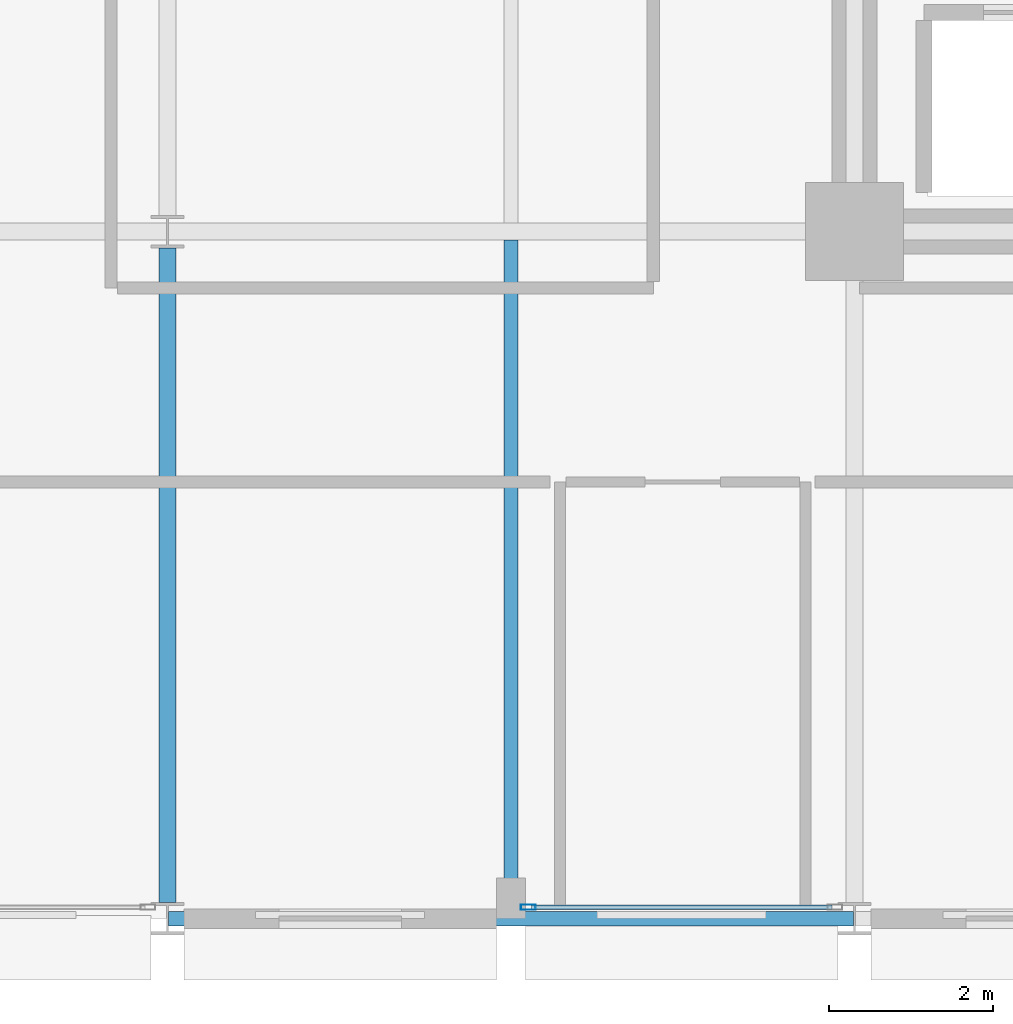
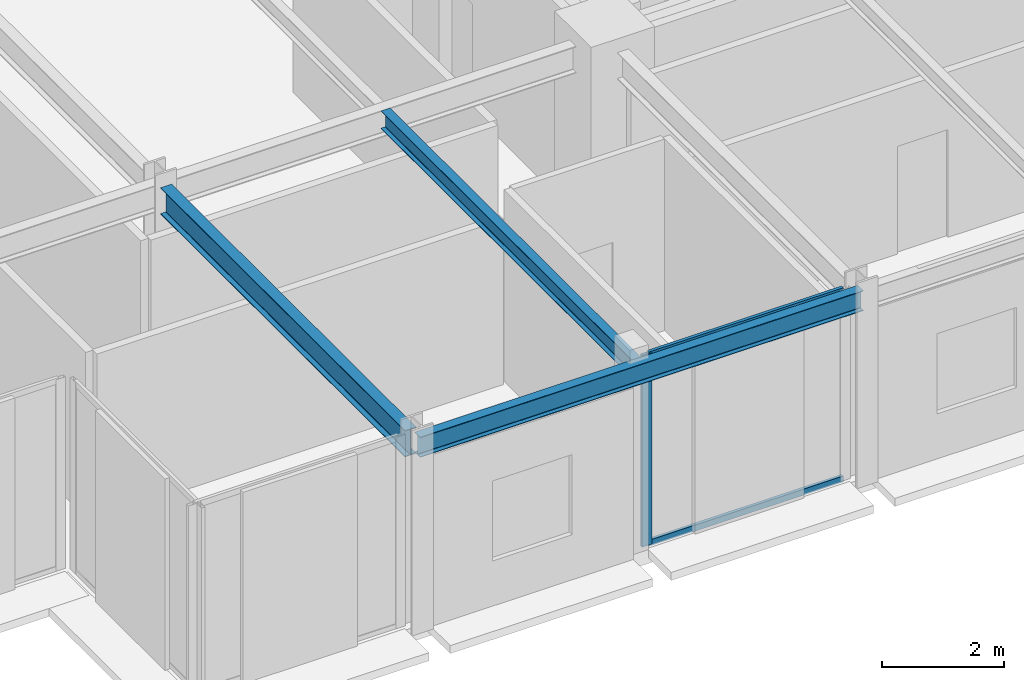
# One storey, part 3 of 30: 3 beams, 3 members, 1 element without a shape of its own.
"""IFC4 building model written with IfcOpenShell, lengths in metres."""

import ifcopenshell
import ifcopenshell.guid

model = None  # the IFC model being written
_history = None  # IfcOwnerHistory: only IFC2X3 demands one
_inside = {}  # id of a spatial element -> (the spatial element, [elements in it])
_under = {}  # id of a project, library or spatial element -> (it, [spatial elements below it])
_declared = {}  # id of a project -> (the project, [libraries it declares])
_typed = {}  # id of a type object -> (the type object, [elements of that type])
_made_of = {}  # id of a material, layer set ... -> (it, [elements and type objects made of it])


def new_model(schema):
    """Start an empty IFC model of exactly this schema.

    Asked for "IFC4X3", IfcOpenShell would pick the latest addendum, in which some entities
    have other attributes; the version numbers below select the first issue.
    IFC2X3 requires an IfcOwnerHistory on every rooted entity: one is made here for all.
    """
    global model, _history
    if schema == "IFC4X3":
        model = ifcopenshell.file(schema_version=(4, 3, 0, 0))
    else:
        model = ifcopenshell.file(schema=schema)
    _inside.clear()
    _under.clear()
    _declared.clear()
    _typed.clear()
    _made_of.clear()
    _history = None
    if model.schema == "IFC2X3":
        org = make("IfcOrganization", Name="unknown")
        user = make(
            "IfcPersonAndOrganization",
            ThePerson=make("IfcPerson", FamilyName="unknown"),
            TheOrganization=org,
        )
        app = make(
            "IfcApplication",
            ApplicationDeveloper=org,
            Version="unknown",
            ApplicationFullName="unknown",
            ApplicationIdentifier="unknown",
        )
        _history = make(
            "IfcOwnerHistory",
            OwningUser=user,
            OwningApplication=app,
            ChangeAction="ADDED",
            CreationDate=0,
        )
    return model


def make(cls, **values):
    """One entity of the class cls with the attributes given. An attribute that is None is left unset."""
    return model.create_entity(
        cls, **{name: value for name, value in values.items() if value is not None}
    )


def rooted(cls, **values):
    """An entity with a GlobalId (a new one), such as an element, a storey or a relation."""
    return make(cls, GlobalId=ifcopenshell.guid.new(), OwnerHistory=_history, **values)


def si_unit(unit_type, name, prefix=None):
    """IfcSIUnit, for example si_unit("LENGTHUNIT", "METRE", prefix="MILLI")."""
    return make("IfcSIUnit", UnitType=unit_type, Prefix=prefix, Name=name)


def assignment(units):
    """IfcUnitAssignment: the units of a project."""
    return None if units is None else make("IfcUnitAssignment", Units=units)


def point(xyz):
    """IfcCartesianPoint."""
    return None if xyz is None else make("IfcCartesianPoint", Coordinates=xyz)


def direction(xyz):
    """IfcDirection."""
    return None if xyz is None else make("IfcDirection", DirectionRatios=xyz)


def frame(location, z_axis=None, x_axis=None):
    """IfcAxis2Placement3D, a coordinate frame: its origin and axes. An axis left out is left unset."""
    return make(
        "IfcAxis2Placement3D",
        Location=point(location),
        Axis=direction(z_axis),
        RefDirection=direction(x_axis),
    )


def frame_2d(location, x_axis=None):
    """IfcAxis2Placement2D, a coordinate frame in the plane: its origin and x axis."""
    return make(
        "IfcAxis2Placement2D", Location=point(location), RefDirection=direction(x_axis)
    )


def origin():
    """The frame at (0, 0, 0) with its axes left unset."""
    return frame((0.0, 0.0, 0.0))


def origin_2d():
    """The frame at (0, 0) in the plane with its x axis left unset."""
    return frame_2d((0.0, 0.0))


def place(relative_to, where):
    """IfcLocalPlacement: puts the frame where relative to a parent placement (None: the world)."""
    return make(
        "IfcLocalPlacement", PlacementRelTo=relative_to, RelativePlacement=where
    )


def context(
    kind, dimensions, precision=None, world=None, true_north=None, identifier=None
):
    """IfcGeometricRepresentationContext, for example the 3D "Model" context."""
    return make(
        "IfcGeometricRepresentationContext",
        ContextIdentifier=identifier,
        ContextType=kind,
        CoordinateSpaceDimension=dimensions,
        Precision=precision,
        WorldCoordinateSystem=world,
        TrueNorth=true_north,
    )


def subcontext(parent, identifier, kind, view, scale=None):
    """IfcGeometricRepresentationSubContext, for example "Body" below "Model"."""
    return make(
        "IfcGeometricRepresentationSubContext",
        ContextIdentifier=identifier,
        ContextType=kind,
        ParentContext=parent,
        TargetScale=scale,
        TargetView=view,
    )


def project(units=None, contexts=None):
    """IfcProject with its units and contexts."""
    return rooted(
        "IfcProject",
        Name="project",
        RepresentationContexts=contexts,
        UnitsInContext=assignment(units),
    )


def spatial(cls, under=None, at=None, **own):
    """A site, building, storey or space (cls), placed at a placement, below another one or the project."""
    s = rooted(cls, ObjectPlacement=at, **own)
    if under is not None:
        _under.setdefault(under.id(), (under, []))[1].append(s)
    return s


def profile(cls, at=None, kind="AREA", **sizes):
    """A parametric profile (cls). Its sizes go by their IFC names, for example OverallWidth=200.0."""
    return make(cls, ProfileType=kind, Position=at, **sizes)


def hollow_rectangle(**sizes):
    """IfcRectangleHollowProfileDef."""
    return profile("IfcRectangleHollowProfileDef", **sizes)


def i_section(**sizes):
    """IfcIShapeProfileDef."""
    return profile("IfcIShapeProfileDef", **sizes)


def extrude(swept, where, along, depth):
    """IfcExtrudedAreaSolid: the profile swept, set in the frame where, extruded along a direction by depth."""
    return make(
        "IfcExtrudedAreaSolid",
        SweptArea=swept,
        Position=where,
        ExtrudedDirection=direction(along),
        Depth=depth,
    )


def shape(context_of_items, identifier, shape_type, items):
    """IfcShapeRepresentation: the items that make up one representation, for example the "Body"."""
    return make(
        "IfcShapeRepresentation",
        ContextOfItems=context_of_items,
        RepresentationIdentifier=identifier,
        RepresentationType=shape_type,
        Items=items,
    )


def material(Name=None, Category=None):
    """IfcMaterial."""
    return make("IfcMaterial", Name=Name, Category=Category)


def layer(
    of_material, thickness, ventilated=None, Name=None, Category=None, Priority=None
):
    """IfcMaterialLayer: one layer of a wall or slab, of a material (None: an air gap)."""
    return make(
        "IfcMaterialLayer",
        Material=of_material,
        LayerThickness=thickness,
        IsVentilated=ventilated,
        Name=Name,
        Category=Category,
        Priority=Priority,
    )


def layer_set(layers, Name=None):
    """IfcMaterialLayerSet."""
    return make("IfcMaterialLayerSet", MaterialLayers=layers, LayerSetName=Name)


def material_profile(
    of_material, cross_section, Name=None, Category=None, Priority=None
):
    """IfcMaterialProfile: a cross section and its material."""
    return make(
        "IfcMaterialProfile",
        Name=Name,
        Material=of_material,
        Profile=cross_section,
        Priority=Priority,
        Category=Category,
    )


def profile_set(profiles, Name=None, composite=None):
    """IfcMaterialProfileSet."""
    return make(
        "IfcMaterialProfileSet",
        Name=Name,
        MaterialProfiles=profiles,
        CompositeProfile=composite,
    )


def made_of(thing, what):
    """Note that an element or type object is made of a material, layer set ...; save() writes the relation."""
    if what is not None:
        _made_of.setdefault(what.id(), (what, []))[1].append(thing)
    return thing


def type_object(cls, material=None, **own):
    """A type object (cls), such as IfcWallType, which elements share."""
    return made_of(rooted(cls, **own), material)


def element(
    cls,
    number,
    at=None,
    inside=None,
    cuts=None,
    type_object=None,
    material=None,
    context=None,
    identifier="Body",
    shape_type=None,
    held_by="IfcProductDefinitionShape",
    body=None,
    shapes=None,
    **own,
):
    """One element of the class cls, such as IfcWall. Its Tag is "e" and its number.

    at: its placement. inside: the storey or other place that contains it. cuts: it is an
    opening in that element (IfcRelVoidsElement). A single representation is given by context,
    identifier, shape_type and body (its items); several are given by shapes. held_by: the class
    of the entity that holds the representations. save() writes the other relations.
    """
    e = rooted(cls, Tag="e%d" % number, ObjectPlacement=at, **own)
    if body is not None:
        shapes = [shape(context, identifier, shape_type, body)]
    if shapes is not None:
        e.Representation = make(held_by, Representations=shapes)
    if inside is not None:
        _inside.setdefault(inside.id(), (inside, []))[1].append(e)
    if cuts is not None:
        rooted(
            "IfcRelVoidsElement", RelatingBuildingElement=cuts, RelatedOpeningElement=e
        )
    if type_object is not None:
        _typed.setdefault(type_object.id(), (type_object, []))[1].append(e)
    return made_of(e, material)


def aggregate(whole, parts):
    """IfcRelAggregates: a whole, such as a stair, and the parts it consists of."""
    return rooted("IfcRelAggregates", RelatingObject=whole, RelatedObjects=parts)


def save(model, path):
    """Write the relations noted so far, then the file.

    IfcRelAggregates (storeys below a building ...), IfcRelContainedInSpatialStructure (elements
    in a storey), IfcRelDefinesByType, IfcRelAssociatesMaterial and IfcRelDeclares: one each for
    every whole, place, type object, material and project.
    """
    for whole, parts in _under.values():
        aggregate(whole, parts)
    for where, things in _inside.values():
        rooted(
            "IfcRelContainedInSpatialStructure",
            RelatedElements=things,
            RelatingStructure=where,
        )
    for kind, things in _typed.values():
        rooted("IfcRelDefinesByType", RelatedObjects=things, RelatingType=kind)
    for what, things in _made_of.values():
        rooted("IfcRelAssociatesMaterial", RelatedObjects=things, RelatingMaterial=what)
    for by, libraries in _declared.values():
        rooted("IfcRelDeclares", RelatingContext=by, RelatedDefinitions=libraries)
    model.write(path)


model = new_model("IFC4")

# Units and contexts
model_context = context("Model", 3, precision=1e-05, world=origin(), true_north=direction((0.0, 1.0)))
body_context = subcontext(model_context, "Body", "Model", "MODEL_VIEW")
ifc_project = project(units=[si_unit("LENGTHUNIT", "METRE"), si_unit("AREAUNIT", "SQUARE_METRE"), si_unit("VOLUMEUNIT", "CUBIC_METRE"), si_unit("PLANEANGLEUNIT", "RADIAN"), si_unit("MASSUNIT", "GRAM", prefix="KILO")], contexts=[model_context])

# Site, building, storey
site_placement = place(None, origin())
site = spatial("IfcSite", under=ifc_project, at=site_placement, CompositionType="ELEMENT")
building_placement = place(site_placement, origin())
building = spatial("IfcBuilding", under=site, at=building_placement, Name="Nerrivon Quay Data Exchange", CompositionType="ELEMENT")
storey_placement = place(building_placement, frame((0.0, 0.0, 117.199951171875)))
storey = spatial("IfcBuildingStorey", under=building, at=storey_placement, Name="L27", CompositionType="ELEMENT", Elevation=117.199951171875)

# Beams
ifc_material_1 = material(Name="Steel Grade 350", Category="steel")
ifc_material_profile_1 = material_profile(ifc_material_1, i_section(OverallWidth=0.208984375, OverallDepth=0.528076171875, WebThickness=0.009521484375, FlangeThickness=0.01318359375, FilletRadius=0.013916015625, at=origin_2d()), Name="530UB82.0")
ifc_profile_set_1 = profile_set([ifc_material_profile_1], Name="Steel Grade 350")
beam_type_1 = type_object("IfcBeamType", Name="BM-G4-530UB82", PredefinedType="BEAM", material=ifc_profile_set_1)
beam_1_placement = place(storey_placement, frame((8.39990234375, 0.199951171875, 3.56103515625), z_axis=(0.0, 1.0, 0.0), x_axis=(-1.0, 0.0, 0.0)))
element("IfcBeam", 1, at=beam_1_placement, inside=storey, type_object=beam_type_1, Name="L27 NS Girder X=8.4 (0.0..8.4)", PredefinedType="BEAM", context=body_context, shape_type="SweptSolid", body=[
    extrude(i_section(OverallWidth=0.208984375, OverallDepth=0.528076171875, WebThickness=0.009521484375, FlangeThickness=0.01318359375, FilletRadius=0.013916015625, at=origin_2d()), origin(), (0.0, 0.0, 1.0), 8.0),
])
ifc_material_profile_2 = material_profile(ifc_material_1, i_section(OverallWidth=0.1708984375, OverallDepth=0.35595703125, WebThickness=0.00732421875, FlangeThickness=0.011474609375, FilletRadius=0.011474609375, at=origin_2d()), Name="360UB50.7")
ifc_profile_set_2 = profile_set([ifc_material_profile_2], Name="Steel Grade 350")
beam_type_2 = type_object("IfcBeamType", Name="BM-J4-360UB51", PredefinedType="JOIST", material=ifc_profile_set_2)
beam_2_placement = place(storey_placement, frame((12.60009765625, 0.089111328125, 3.64697265625), z_axis=(0.0, 1.0, 0.0), x_axis=(-1.0, 0.0, 0.0)))
element("IfcBeam", 2, at=beam_2_placement, inside=storey, type_object=beam_type_2, Name="L27 Secondary Joist X=12.6 (0.0..8.4)", PredefinedType="JOIST", context=body_context, shape_type="SweptSolid", body=[
    extrude(i_section(OverallWidth=0.1708984375, OverallDepth=0.35595703125, WebThickness=0.00732421875, FlangeThickness=0.011474609375, FilletRadius=0.011474609375, at=origin_2d()), origin(), (0.0, 0.0, 1.0), 8.206298828125),
])
ifc_material_profile_3 = material_profile(ifc_material_1, i_section(OverallWidth=0.177978515625, OverallDepth=0.403076171875, WebThickness=0.007568359375, FlangeThickness=0.010986328125, FilletRadius=0.011474609375, at=origin_2d()), Name="410UB53.7")
ifc_profile_set_3 = profile_set([ifc_material_profile_3], Name="Steel Grade 350")
beam_type_3 = type_object("IfcBeamType", Name="BM-SP2-410UB54", PredefinedType="SPANDREL", material=ifc_profile_set_3)
beam_3_placement = place(storey_placement, frame((8.41259765625, 0.0, 3.62353515625), z_axis=(1.0, 0.0, 0.0), x_axis=(0.0, 1.0, 0.0)))
element("IfcBeam", 3, at=beam_3_placement, inside=storey, type_object=beam_type_3, Name="L27 EW Girder Y=0.0 (8.4..16.8)", PredefinedType="SPANDREL", context=body_context, shape_type="SweptSolid", body=[
    extrude(i_section(OverallWidth=0.177978515625, OverallDepth=0.403076171875, WebThickness=0.007568359375, FlangeThickness=0.010986328125, FilletRadius=0.011474609375, at=origin_2d()), origin(), (0.0, 0.0, 1.0), 8.375),
])

# Curtain wall, members
ifc_material_2 = material(Name="Anodised aluminium 6063-T6", Category="aluminium")
ifc_layer = layer(ifc_material_2, 0.2099609375)
ifc_layer_set = layer_set([ifc_layer], Name="Anodised aluminium 6063-T6")
curtain_wall_type = type_object("IfcCurtainWallType", Name="CW-SYS-02", PredefinedType="NOTDEFINED", material=ifc_layer_set)
curtain_wall_placement = place(storey_placement, origin())
curtain_wall = element("IfcCurtainWall", 4, at=curtain_wall_placement, inside=storey, type_object=curtain_wall_type, Name="L27 Unitised Curtain Wall 6", PredefinedType="NOTDEFINED")
ifc_material_profile_4 = material_profile(ifc_material_2, hollow_rectangle(XDim=0.06494140625, YDim=0.179931640625, WallThickness=0.00341796875, at=origin_2d()), Name="ALU-MULL-180x65")
ifc_profile_set_4 = profile_set([ifc_material_profile_4], Name="Anodised aluminium 6063-T6")
member_type_1 = type_object("IfcMemberType", Name="CWM-180x65", PredefinedType="MULLION", material=ifc_profile_set_4)
member_1_placement = place(storey_placement, frame((12.8125, 0.139892578125, 0.0), z_axis=(0.0, 0.0, 1.0), x_axis=(0.0, -1.0, 0.0)))
member_1 = element("IfcMember", 5, at=member_1_placement, type_object=member_type_1, Name="CW02 mullion 2", PredefinedType="MULLION", context=body_context, shape_type="SweptSolid", body=[
    extrude(hollow_rectangle(XDim=0.06494140625, YDim=0.179931640625, WallThickness=0.00341796875, at=origin_2d()), origin(), (0.0, 0.0, 1.0), 3.824951171875),
])
ifc_material_profile_5 = material_profile(ifc_material_2, hollow_rectangle(XDim=0.06005859375, YDim=0.1201171875, WallThickness=0.003173828125, at=origin_2d()), Name="ALU-TRAN-120x60")
ifc_profile_set_5 = profile_set([ifc_material_profile_5], Name="Anodised aluminium 6063-T6")
member_type_2 = type_object("IfcMemberType", Name="CWT-120x60", PredefinedType="USERDEFINED", material=ifc_profile_set_5)
member_2_placement = place(storey_placement, frame((16.52490234375, 0.139892578125, 0.032470703125), z_axis=(-1.0, 0.0, 0.0), x_axis=(0.0, -1.0, 0.0)))
member_2 = element("IfcMember", 6, at=member_2_placement, type_object=member_type_2, Name="CW02 transom 1.1", ObjectType="TRANSOM", PredefinedType="USERDEFINED", context=body_context, shape_type="SweptSolid", body=[
    extrude(hollow_rectangle(XDim=0.06005859375, YDim=0.1201171875, WallThickness=0.003173828125, at=origin_2d()), origin(), (0.0, 0.0, 1.0), 3.6748046875),
])
member_3_placement = place(storey_placement, frame((16.52490234375, 0.139892578125, 3.79248046875), z_axis=(-1.0, 0.0, 0.0), x_axis=(0.0, -1.0, 0.0)))
member_3 = element("IfcMember", 7, at=member_3_placement, type_object=member_type_2, Name="CW02 transom 1.2", ObjectType="TRANSOM", PredefinedType="USERDEFINED", context=body_context, shape_type="SweptSolid", body=[
    extrude(hollow_rectangle(XDim=0.06005859375, YDim=0.1201171875, WallThickness=0.003173828125, at=origin_2d()), origin(), (0.0, 0.0, 1.0), 3.6748046875),
])
aggregate(curtain_wall, [member_1, member_2, member_3])

save(model, "model.ifc")
